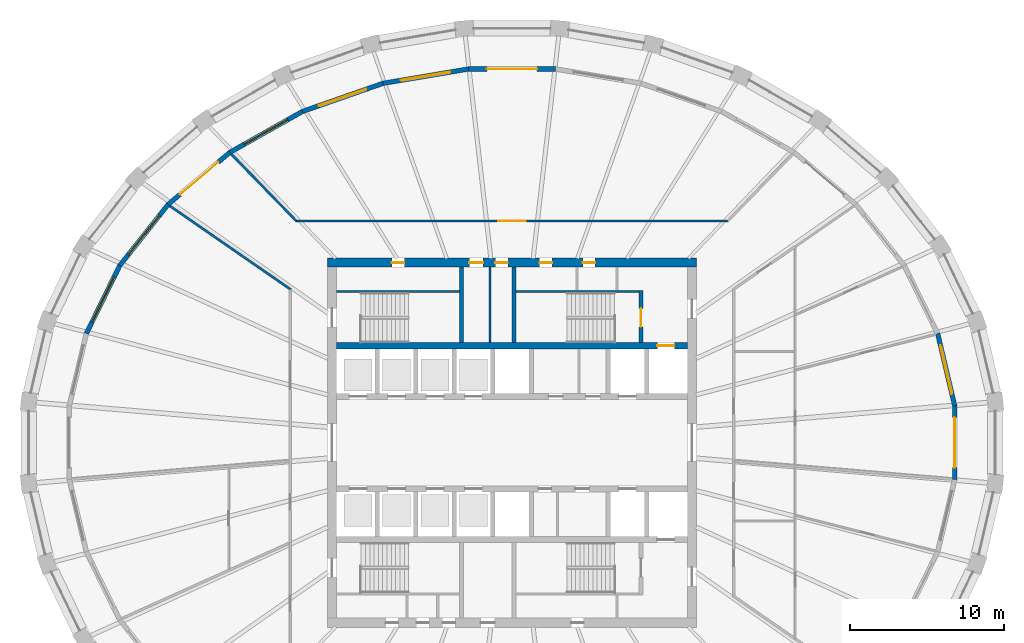
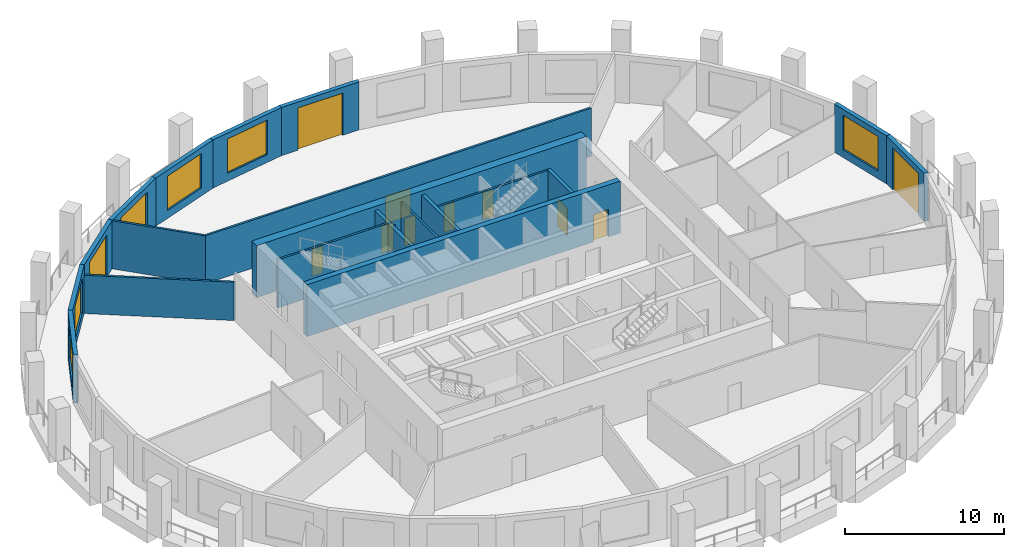
# One storey, part 6 of 11: 20 walls, 11 doors, 6 windows, 17 openings.
"""IFC4 building model written with IfcOpenShell, lengths in metres."""

from ifc_helpers import new_model, si_unit, direction, frame, frame_2d, origin, place, context, subcontext, project, spatial, polyline, rectangle, outline, extrude, material, layer, layer_set, type_object, element, fill, save


model = new_model("IFC4")

# Units and contexts
model_context = context("Model", 3, precision=1e-05, world=origin(), true_north=direction((0.0, 1.0)))
body_context = subcontext(model_context, "Body", "Model", "MODEL_VIEW")
ifc_project = project(units=[si_unit("LENGTHUNIT", "METRE"), si_unit("AREAUNIT", "SQUARE_METRE"), si_unit("VOLUMEUNIT", "CUBIC_METRE"), si_unit("PLANEANGLEUNIT", "RADIAN"), si_unit("MASSUNIT", "GRAM", prefix="KILO")], contexts=[model_context])

# Site, building, storey
site_placement = place(None, origin())
site = spatial("IfcSite", under=ifc_project, at=site_placement, CompositionType="ELEMENT")
building_placement = place(site_placement, origin())
building = spatial("IfcBuilding", under=site, at=building_placement, Name="Halqa Exchange Tower", CompositionType="ELEMENT")
storey_placement = place(building_placement, frame((0.0, 0.0, 230.89990234375)))
storey = spatial("IfcBuildingStorey", under=building, at=storey_placement, Name="L53", CompositionType="ELEMENT", Elevation=230.89990234375)

# Walls
ifc_material_1 = material(Name="Fire-rated gypsum board")
ifc_layer_1 = layer(ifc_material_1, 0.14990234375)
ifc_layer_set_1 = layer_set([ifc_layer_1], Name="Fire-rated gypsum board")
wall_type_1 = type_object("IfcWallType", Name="Fire partition EI 60 150", PredefinedType="PARTITIONING", material=ifc_layer_set_1)
wall_1_placement = place(storey_placement, frame((-18.242431640625, 18.746826171875, 0.0), z_axis=(0.0, 0.0, 1.0), x_axis=(0.697616683155, -0.716471188105, 0.0)))
element("IfcWall", 1, at=wall_1_placement, inside=storey, type_object=wall_type_1, Name="L53-PWL-004", PredefinedType="PARTITIONING", context=body_context, shape_type="SweptSolid", body=[
    extrude(outline(polyline([(0.0, -0.074951171875), (1.524658203125, -0.074951171875), (3.04931640625, -0.074951171875), (4.573974609375, -0.074951171875), (6.0986328125, -0.074951171875), (6.06689453125, 0.0), (6.035400390625, 0.074951171875), (4.532958984375, 0.074951171875), (3.030517578125, 0.074951171875), (1.52783203125, 0.074951171875), (0.025390625, 0.074951171875), (0.005126953125, -0.002197265625), (0.0, -0.07177734375), (0.0, -0.074951171875)])), origin(), (0.0, 0.0, 1.0), 3.7001953125),
])
wall_2_placement = place(storey_placement, frame((-14.36767578125, 9.947509765625, 0.0), z_axis=(0.0, 0.0, 1.0), x_axis=(-0.822511136101, 0.568749005265, 0.0)))
element("IfcWall", 2, at=wall_2_placement, inside=storey, type_object=wall_type_1, Name="L53-PWL-007", PredefinedType="PARTITIONING", context=body_context, shape_type="SweptSolid", body=[
    extrude(outline(polyline([(0.000244140625, -0.074951171875), (1.90673828125, -0.074951171875), (3.8134765625, -0.074951171875), (5.72021484375, -0.074951171875), (7.626708984375, -0.074951171875), (9.533447265625, -0.074951171875), (9.553955078125, 0.00048828125), (9.558349609375, 0.068603515625), (9.558349609375, 0.074951171875), (7.662353515625, 0.074951171875), (5.7666015625, 0.074951171875), (3.87060546875, 0.074951171875), (1.974609375, 0.074951171875), (0.07861328125, 0.074951171875), (0.07861328125, 0.074951171875), (0.07861328125, 0.074951171875), (0.039306640625, 0.0), (0.000244140625, -0.074951171875)])), origin(), (0.0, 0.0, 1.0), 2.947021484375),
])

# Wall, opening, door
wall_3_placement = place(storey_placement, frame((-14.041748046875, 14.39990234375, 0.0), z_axis=(0.0, 0.0, 1.0), x_axis=(1.0, 0.0, 0.0)))
wall_3 = element("IfcWall", 3, at=wall_3_placement, inside=storey, type_object=wall_type_1, Name="L53-PWL-010", PredefinedType="PARTITIONING", context=body_context, shape_type="SweptSolid", body=[
    extrude(outline(polyline([(0.0, -0.074951171875), (1.872314453125, -0.074951171875), (3.74462890625, -0.074951171875), (5.61669921875, -0.074951171875), (7.489013671875, -0.074951171875), (9.361083984375, -0.074951171875), (11.2333984375, -0.074951171875), (13.105712890625, -0.074951171875), (14.977783203125, -0.074951171875), (16.85009765625, -0.074951171875), (18.722412109375, -0.074951171875), (20.594482421875, -0.074951171875), (22.466796875, -0.074951171875), (24.3388671875, -0.074951171875), (26.211181640625, -0.074951171875), (28.08349609375, -0.074951171875), (28.020263671875, 0.074951171875), (26.023193359375, 0.074951171875), (24.0263671875, 0.074951171875), (22.029296875, 0.074951171875), (20.032470703125, 0.074951171875), (18.03564453125, 0.074951171875), (16.03857421875, 0.074951171875), (14.041748046875, 0.074951171875), (12.044921875, 0.074951171875), (10.0478515625, 0.074951171875), (8.051025390625, 0.074951171875), (6.05419921875, 0.074951171875), (4.05712890625, 0.074951171875), (2.060302734375, 0.074951171875), (0.063232421875, 0.074951171875), (0.0, -0.074951171875)])), origin(), (0.0, 0.0, 1.0), 3.7001953125),
])
opening_1_placement = place(wall_3_placement, frame((13.1416015625, 0.0, 0.0)))
opening_1 = element("IfcOpeningElement", 4, at=opening_1_placement, cuts=wall_3, Name="Opening 16-01", PredefinedType="OPENING", context=body_context, shape_type="SweptSolid", body=[
    extrude(rectangle(XDim=1.800048828125, YDim=2.10009765625, at=frame_2d((0.89990234375, 1.050048828125))), frame((0.0, 0.0869140625, 0.0), z_axis=(0.0, -1.0, 0.0), x_axis=(1.0, 0.0, 0.0)), (0.0, 0.0, 1.0), 0.173828125),
])
ifc_material_2 = material(Name="Steel fire door leaf", Category="steel")
door_type_1 = type_object("IfcDoorType", Name="Fire door FD30S double 1800 x 2100", OperationType="DOUBLE_DOOR_SINGLE_SWING", PredefinedType="DOOR", material=ifc_material_2)
door_1_placement = place(opening_1_placement, origin())
door_1 = element("IfcDoor", 5, at=door_1_placement, inside=storey, type_object=door_type_1, Name="L53-IDR-001", OperationType="DOUBLE_DOOR_SINGLE_SWING", OverallHeight=2.10009765625, OverallWidth=1.800048828125, PredefinedType="DOOR", context=body_context, shape_type="SweptSolid", body=[
    extrude(rectangle(XDim=1.800048828125, YDim=2.10009765625, at=frame_2d((0.89990234375, 1.050048828125))), frame((0.0, 0.02490234375, 0.0), z_axis=(0.0, -1.0, 0.0), x_axis=(1.0, 0.0, 0.0)), (0.0, 0.0, 1.0), 0.050048828125),
])
fill(opening_1, door_1)

# Wall
ifc_material_3 = material(Name="Gypsum board")
ifc_layer_2 = layer(ifc_material_3, 0.14990234375)
ifc_layer_set_2 = layer_set([ifc_layer_2], Name="Gypsum board")
wall_type_2 = type_object("IfcWallType", Name="Penthouse riser wall 150 gypsum", PredefinedType="PARTITIONING", material=ifc_layer_set_2)
wall_4_placement = place(storey_placement, frame((-1.425048828125, 6.5, 0.0), z_axis=(0.0, 0.0, 1.0), x_axis=(0.0, 1.0, 0.0)))
element("IfcWall", 6, at=wall_4_placement, inside=storey, type_object=wall_type_2, Name="Partition W1.425 N", PredefinedType="PARTITIONING", context=body_context, shape_type="SweptSolid", body=[
    extrude(rectangle(XDim=4.89990234375, YDim=0.14990234375, at=frame_2d((2.449951171875, 0.0))), origin(), (0.0, 0.0, 1.0), 3.7001953125),
])

# Wall, opening, door
ifc_material_4 = material(Name="Concrete C70/85", Category="concrete")
ifc_layer_3 = layer(ifc_material_4, 0.39990234375)
ifc_layer_set_3 = layer_set([ifc_layer_3], Name="Concrete C70/85")
wall_type_3 = type_object("IfcWallType", Name="RC core wall 400 C70/85", PredefinedType="SHEAR", material=ifc_layer_set_3)
wall_5_placement = place(storey_placement, frame((-11.39990234375, 6.300048828125, 0.0), z_axis=(0.0, 0.0, 1.0), x_axis=(1.0, 0.0, 0.0)))
wall_5 = element("IfcWall", 7, at=wall_5_placement, inside=storey, type_object=wall_type_3, Name="Lift row back wall N", PredefinedType="SHEAR", context=body_context, shape_type="SweptSolid", body=[
    extrude(rectangle(XDim=22.7998046875, YDim=0.39990234375, at=frame_2d((11.39990234375, 0.0))), origin(), (0.0, 0.0, 1.0), 4.0),
])
opening_2_placement = place(wall_5_placement, frame((20.85009765625, 0.0, 0.0)))
opening_2 = element("IfcOpeningElement", 8, at=opening_2_placement, cuts=wall_5, Name="Opening LD-FF1-T16", PredefinedType="OPENING", context=body_context, shape_type="SweptSolid", body=[
    extrude(rectangle(XDim=1.10009765625, YDim=2.10009765625, at=frame_2d((0.550048828125, 1.050048828125))), frame((0.0, 0.2119140625, 0.0), z_axis=(0.0, -1.0, 0.0), x_axis=(1.0, 0.0, 0.0)), (0.0, 0.0, 1.0), 0.423828125),
])
ifc_material_5 = material(Name="Stainless steel", Category="steel")
door_type_2 = type_object("IfcDoorType", Name="Lift landing door 1100 x 2100", OperationType="SLIDING_TO_LEFT", PredefinedType="DOOR", material=ifc_material_5)
door_2_placement = place(opening_2_placement, origin())
door_2 = element("IfcDoor", 9, at=door_2_placement, inside=storey, type_object=door_type_2, Name="Lift landing door FF1", OperationType="SLIDING_TO_LEFT", OverallHeight=2.10009765625, OverallWidth=1.10009765625, PredefinedType="DOOR", context=body_context, shape_type="SweptSolid", body=[
    extrude(rectangle(XDim=1.10009765625, YDim=2.10009765625, at=frame_2d((0.550048828125, 1.050048828125))), frame((0.0, 0.02490234375, 0.0), z_axis=(0.0, -1.0, 0.0), x_axis=(1.0, 0.0, 0.0)), (0.0, 0.0, 1.0), 0.050048828125),
])
fill(opening_2, door_2)

# Wall, openings, doors
ifc_layer_4 = layer(ifc_material_4, 0.60009765625)
ifc_layer_set_4 = layer_set([ifc_layer_4], Name="Concrete C70/85")
wall_type_4 = type_object("IfcWallType", Name="RC core wall 600 C70/85", PredefinedType="SHEAR", material=ifc_layer_set_4)
wall_6_placement = place(storey_placement, frame((-12.0, 11.699951171875, 0.0), z_axis=(0.0, 0.0, 1.0), x_axis=(1.0, 0.0, 0.0)))
wall_6 = element("IfcWall", 10, at=wall_6_placement, inside=storey, type_object=wall_type_4, Name="Core wall north", PredefinedType="SHEAR", context=body_context, shape_type="SweptSolid", body=[
    extrude(rectangle(XDim=24.0, YDim=0.60009765625, at=frame_2d((12.0, 0.0))), origin(), (0.0, 0.0, 1.0), 4.0),
])
opening_3_placement = place(wall_6_placement, frame((9.22509765625, 0.0, 0.0)))
opening_3 = element("IfcOpeningElement", 11, at=opening_3_placement, cuts=wall_6, Name="Opening T16-C21", PredefinedType="OPENING", context=body_context, shape_type="SweptSolid", body=[
    extrude(rectangle(XDim=0.89990234375, YDim=2.10009765625, at=frame_2d((0.449951171875, 1.050048828125))), frame((0.0, 0.31201171875, 0.0), z_axis=(0.0, -1.0, 0.0), x_axis=(1.0, 0.0, 0.0)), (0.0, 0.0, 1.0), 0.6240234375),
])
opening_4_placement = place(wall_6_placement, frame((10.925048828125, 0.0, 0.0)))
opening_4 = element("IfcOpeningElement", 12, at=opening_4_placement, cuts=wall_6, Name="Opening T16-C22", PredefinedType="OPENING", context=body_context, shape_type="SweptSolid", body=[
    extrude(rectangle(XDim=0.800048828125, YDim=2.10009765625, at=frame_2d((0.39990234375, 1.050048828125))), frame((0.0, 0.31201171875, 0.0), z_axis=(0.0, -1.0, 0.0), x_axis=(1.0, 0.0, 0.0)), (0.0, 0.0, 1.0), 0.6240234375),
])
opening_5_placement = place(wall_6_placement, frame((4.199951171875, 0.0, 0.0)))
opening_5 = element("IfcOpeningElement", 13, at=opening_5_placement, cuts=wall_6, Name="Opening T16-C23", PredefinedType="OPENING", context=body_context, shape_type="SweptSolid", body=[
    extrude(rectangle(XDim=0.800048828125, YDim=2.10009765625, at=frame_2d((0.39990234375, 1.050048828125))), frame((0.0, 0.31201171875, 0.0), z_axis=(0.0, -1.0, 0.0), x_axis=(1.0, 0.0, 0.0)), (0.0, 0.0, 1.0), 0.6240234375),
])
opening_6_placement = place(wall_6_placement, frame((13.800048828125, 0.0, 0.0)))
opening_6 = element("IfcOpeningElement", 14, at=opening_6_placement, cuts=wall_6, Name="Opening T16-C24", PredefinedType="OPENING", context=body_context, shape_type="SweptSolid", body=[
    extrude(rectangle(XDim=0.800048828125, YDim=2.10009765625, at=frame_2d((0.39990234375, 1.050048828125))), frame((0.0, 0.31201171875, 0.0), z_axis=(0.0, -1.0, 0.0), x_axis=(1.0, 0.0, 0.0)), (0.0, 0.0, 1.0), 0.6240234375),
])
opening_7_placement = place(wall_6_placement, frame((16.60009765625, 0.0, 0.0)))
opening_7 = element("IfcOpeningElement", 15, at=opening_7_placement, cuts=wall_6, Name="Opening T16-C25", PredefinedType="OPENING", context=body_context, shape_type="SweptSolid", body=[
    extrude(rectangle(XDim=0.800048828125, YDim=2.10009765625, at=frame_2d((0.39990234375, 1.050048828125))), frame((0.0, 0.31201171875, 0.0), z_axis=(0.0, -1.0, 0.0), x_axis=(1.0, 0.0, 0.0)), (0.0, 0.0, 1.0), 0.6240234375),
])
ifc_material_6 = material(Name="Timber fire door leaf", Category="wood")
door_type_3 = type_object("IfcDoorType", Name="Core room door FD30 900 x 2100", OperationType="SINGLE_SWING_LEFT", PredefinedType="DOOR", material=ifc_material_6)
door_3_placement = place(opening_3_placement, frame((0.89990234375, 0.0, 0.0), z_axis=(0.0, 0.0, 1.0), x_axis=(-1.0, 0.0, 0.0)))
door_3 = element("IfcDoor", 16, at=door_3_placement, inside=storey, type_object=door_type_3, Name="Core room door", OperationType="SINGLE_SWING_RIGHT", OverallHeight=2.10009765625, OverallWidth=0.89990234375, PredefinedType="DOOR", context=body_context, shape_type="SweptSolid", body=[
    extrude(rectangle(XDim=0.89990234375, YDim=2.10009765625, at=frame_2d((0.449951171875, 1.050048828125))), frame((0.0, 0.02490234375, 0.0), z_axis=(0.0, -1.0, 0.0), x_axis=(1.0, 0.0, 0.0)), (0.0, 0.0, 1.0), 0.050048828125),
])
fill(opening_3, door_3)
door_type_4 = type_object("IfcDoorType", Name="Riser door FD60 800 x 2100", OperationType="SINGLE_SWING_LEFT", PredefinedType="DOOR", material=ifc_material_2)
door_4_placement = place(opening_4_placement, frame((0.800048828125, 0.0, 0.0), z_axis=(0.0, 0.0, 1.0), x_axis=(-1.0, 0.0, 0.0)))
door_4 = element("IfcDoor", 17, at=door_4_placement, inside=storey, type_object=door_type_4, Name="Core room door", OperationType="SINGLE_SWING_RIGHT", OverallHeight=2.10009765625, OverallWidth=0.800048828125, PredefinedType="DOOR", context=body_context, shape_type="SweptSolid", body=[
    extrude(rectangle(XDim=0.800048828125, YDim=2.10009765625, at=frame_2d((0.39990234375, 1.050048828125))), frame((0.0, 0.02490234375, 0.0), z_axis=(0.0, -1.0, 0.0), x_axis=(1.0, 0.0, 0.0)), (0.0, 0.0, 1.0), 0.050048828125),
])
fill(opening_4, door_4)
door_5_placement = place(opening_5_placement, frame((0.800048828125, 0.0, 0.0), z_axis=(0.0, 0.0, 1.0), x_axis=(-1.0, 0.0, 0.0)))
door_5 = element("IfcDoor", 18, at=door_5_placement, inside=storey, type_object=door_type_4, Name="Core room door", OperationType="SINGLE_SWING_RIGHT", OverallHeight=2.10009765625, OverallWidth=0.800048828125, PredefinedType="DOOR", context=body_context, shape_type="SweptSolid", body=[
    extrude(rectangle(XDim=0.800048828125, YDim=2.10009765625, at=frame_2d((0.39990234375, 1.050048828125))), frame((0.0, 0.02490234375, 0.0), z_axis=(0.0, -1.0, 0.0), x_axis=(1.0, 0.0, 0.0)), (0.0, 0.0, 1.0), 0.050048828125),
])
fill(opening_5, door_5)
door_6_placement = place(opening_6_placement, frame((0.800048828125, 0.0, 0.0), z_axis=(0.0, 0.0, 1.0), x_axis=(-1.0, 0.0, 0.0)))
door_6 = element("IfcDoor", 19, at=door_6_placement, inside=storey, type_object=door_type_4, Name="Core room door", OperationType="SINGLE_SWING_LEFT", OverallHeight=2.10009765625, OverallWidth=0.800048828125, PredefinedType="DOOR", context=body_context, shape_type="SweptSolid", body=[
    extrude(rectangle(XDim=0.800048828125, YDim=2.10009765625, at=frame_2d((0.39990234375, 1.050048828125))), frame((0.0, 0.02490234375, 0.0), z_axis=(0.0, -1.0, 0.0), x_axis=(1.0, 0.0, 0.0)), (0.0, 0.0, 1.0), 0.050048828125),
])
fill(opening_6, door_6)
door_7_placement = place(opening_7_placement, frame((0.800048828125, 0.0, 0.0), z_axis=(0.0, 0.0, 1.0), x_axis=(-1.0, 0.0, 0.0)))
door_7 = element("IfcDoor", 20, at=door_7_placement, inside=storey, type_object=door_type_4, Name="Core room door", OperationType="SINGLE_SWING_LEFT", OverallHeight=2.10009765625, OverallWidth=0.800048828125, PredefinedType="DOOR", context=body_context, shape_type="SweptSolid", body=[
    extrude(rectangle(XDim=0.800048828125, YDim=2.10009765625, at=frame_2d((0.39990234375, 1.050048828125))), frame((0.0, 0.02490234375, 0.0), z_axis=(0.0, -1.0, 0.0), x_axis=(1.0, 0.0, 0.0)), (0.0, 0.0, 1.0), 0.050048828125),
])
fill(opening_7, door_7)

# Walls
ifc_material_7 = material(Name="Concrete C30/37", Category="concrete")
ifc_layer_5 = layer(ifc_material_7, 0.14990234375)
ifc_layer_set_5 = layer_set([ifc_layer_5], Name="Concrete C30/37")
wall_type_5 = type_object("IfcWallType", Name="RC stair wall 150 C30/37", PredefinedType="SHEAR", material=ifc_layer_set_5)
for number, where, z_axis, x_axis, name in (
    (21, (-11.39990234375, 9.824951171875, 0.0), (0.0, 0.0, 1.0), (1.0, 0.0, 0.0), "Stair ST1 north wall N"),
    (22, (0.25, 9.824951171875, 0.0), (0.0, 0.0, 1.0), (1.0, 0.0, 0.0), "Stair ST2 north wall N"),
):
    element("IfcWall", number, at=place(storey_placement, frame(where, z_axis=z_axis, x_axis=x_axis)), inside=storey, type_object=wall_type_5, Name=name, PredefinedType="SHEAR", context=body_context, shape_type="SweptSolid", body=[
        extrude(rectangle(XDim=8.0, YDim=0.14990234375, at=frame_2d((4.0, 0.0))), origin(), (0.0, 0.0, 1.0), 3.7001953125),
    ])
ifc_layer_6 = layer(ifc_material_7, 0.25)
ifc_layer_set_6 = layer_set([ifc_layer_6], Name="Concrete C30/37")
wall_type_6 = type_object("IfcWallType", Name="RC stair wall 250 C30/37", PredefinedType="SHEAR", material=ifc_layer_set_6)
for number, where, z_axis, x_axis, name in (
    (23, (-3.27490234375, 6.5, 0.0), (0.0, 0.0, 1.0), (0.0, 1.0, 0.0), "Stair ST1 east wall N"),
    (24, (0.125, 6.5, 0.0), (0.0, 0.0, 1.0), (0.0, 1.0, 0.0), "Stair ST2 west wall N"),
):
    element("IfcWall", number, at=place(storey_placement, frame(where, z_axis=z_axis, x_axis=x_axis)), inside=storey, type_object=wall_type_6, Name=name, PredefinedType="SHEAR", context=body_context, shape_type="SweptSolid", body=[
        extrude(rectangle(XDim=4.89990234375, YDim=0.25, at=frame_2d((2.449951171875, 0.0))), origin(), (0.0, 0.0, 1.0), 3.7001953125),
    ])

# Wall, opening, door
wall_7_placement = place(storey_placement, frame((8.375, 6.5, 0.0), z_axis=(0.0, 0.0, 1.0), x_axis=(0.0, 1.0, 0.0)))
wall_7 = element("IfcWall", 25, at=wall_7_placement, inside=storey, type_object=wall_type_6, Name="Stair ST2 east wall N", PredefinedType="SHEAR", context=body_context, shape_type="SweptSolid", body=[
    extrude(rectangle(XDim=3.39990234375, YDim=0.25, at=frame_2d((1.699951171875, 0.0))), origin(), (0.0, 0.0, 1.0), 3.7001953125),
])
opening_8_placement = place(wall_7_placement, frame((1.02490234375, 0.0, 0.0)))
opening_8 = element("IfcOpeningElement", 26, at=opening_8_placement, cuts=wall_7, Name="Opening T16-C16", PredefinedType="OPENING", context=body_context, shape_type="SweptSolid", body=[
    extrude(rectangle(XDim=1.199951171875, YDim=2.10009765625, at=frame_2d((0.60009765625, 1.050048828125))), frame((0.0, 0.136962890625, 0.0), z_axis=(0.0, -1.0, 0.0), x_axis=(1.0, 0.0, 0.0)), (0.0, 0.0, 1.0), 0.27392578125),
])
door_type_5 = type_object("IfcDoorType", Name="Stair door FD90 1200 x 2100", OperationType="SINGLE_SWING_LEFT", PredefinedType="DOOR", material=ifc_material_2)
door_8_placement = place(opening_8_placement, origin())
door_8 = element("IfcDoor", 27, at=door_8_placement, inside=storey, type_object=door_type_5, Name="Stair door ST2", OperationType="SINGLE_SWING_LEFT", OverallHeight=2.10009765625, OverallWidth=1.199951171875, PredefinedType="DOOR", context=body_context, shape_type="SweptSolid", body=[
    extrude(rectangle(XDim=1.199951171875, YDim=2.10009765625, at=frame_2d((0.60009765625, 1.050048828125))), frame((0.0, 0.02490234375, 0.0), z_axis=(0.0, -1.0, 0.0), x_axis=(1.0, 0.0, 0.0)), (0.0, 0.0, 1.0), 0.050048828125),
])
fill(opening_8, door_8)

# Wall, opening, window
ifc_material_8 = material(Name="Limestone cladding", Category="masonry")
ifc_layer_7 = layer(ifc_material_8, 0.0400390625)
ifc_material_9 = material(Name="Ventilated cavity")
ifc_layer_8 = layer(ifc_material_9, 0.030029296875, ventilated=True)
ifc_material_10 = material(Name="Mineral wool insulation")
ifc_layer_9 = layer(ifc_material_10, 0.10009765625)
ifc_layer_10 = layer(ifc_material_7, 0.10009765625)
ifc_material_11 = material(Name="Internal plaster")
ifc_layer_11 = layer(ifc_material_11, 0.030029296875)
ifc_layer_set_7 = layer_set([ifc_layer_7, ifc_layer_8, ifc_layer_9, ifc_layer_10, ifc_layer_11], Name="Stone-faced insulated wall 300")
wall_type_7 = type_object("IfcWallType", Name="Stone-faced insulated wall 300", PredefinedType="STANDARD", material=ifc_layer_set_7)
wall_8_placement = place(storey_placement, frame((28.76416015625, 2.393798828125, 0.0), z_axis=(0.0, 0.0, 1.0), x_axis=(-0.229617574796, 0.97328093033, 0.0)))
wall_8 = element("IfcWall", 28, at=wall_8_placement, inside=storey, type_object=wall_type_7, Name="Glass-line wall 1", PredefinedType="STANDARD", context=body_context, shape_type="SweptSolid", body=[
    extrude(outline(polyline([(-0.017333984375, -0.14990234375), (4.8408203125, -0.14990234375), (4.80712890625, 0.14990234375), (0.017333984375, 0.14990234375), (-0.017333984375, -0.14990234375)])), origin(), (0.0, 0.0, 1.0), 3.7001953125),
])
opening_9_placement = place(wall_8_placement, frame((0.786865234375, 0.0, 0.60009765625)))
opening_9 = element("IfcOpeningElement", 29, at=opening_9_placement, cuts=wall_8, Name="Opening W-F3-01", PredefinedType="OPENING", context=body_context, shape_type="SweptSolid", body=[
    extrude(rectangle(XDim=3.25, YDim=2.64990234375, at=frame_2d((1.625, 1.324951171875))), frame((0.0, 0.162109375, 0.0), z_axis=(0.0, -1.0, 0.0), x_axis=(1.0, 0.0, 0.0)), (0.0, 0.0, 1.0), 0.323974609375),
])
ifc_material_12 = material(Name="Clear low-emissivity glass in aluminium frame", Category="aluminium")
window_type = type_object("IfcWindowType", Name="Fixed clear glazed window 3250 x 2650", PartitioningType="TRIPLE_PANEL_VERTICAL", PredefinedType="WINDOW", material=ifc_material_12)
window_1_placement = place(opening_9_placement, origin())
window_1 = element("IfcWindow", 30, at=window_1_placement, inside=storey, type_object=window_type, Name="Window 3", OverallHeight=2.64990234375, OverallWidth=3.25, PartitioningType="TRIPLE_PANEL_VERTICAL", PredefinedType="WINDOW", context=body_context, shape_type="SweptSolid", body=[
    extrude(rectangle(XDim=3.25, YDim=2.64990234375, at=frame_2d((1.625, 1.324951171875))), frame((0.0, 0.030029296875, 0.0), z_axis=(0.0, -1.0, 0.0), x_axis=(1.0, 0.0, 0.0)), (0.0, 0.0, 1.0), 0.06005859375),
])
fill(opening_9, window_1)

# Wall, opening, door
wall_9_placement = place(storey_placement, frame((2.830810546875, 24.2783203125, 0.0), z_axis=(0.0, 0.0, 1.0), x_axis=(-1.0, 0.0, 0.0)))
wall_9 = element("IfcWall", 31, at=wall_9_placement, inside=storey, type_object=wall_type_7, Name="Glass-line wall 8", PredefinedType="STANDARD", context=body_context, shape_type="SweptSolid", body=[
    extrude(outline(polyline([(-0.012451171875, -0.14990234375), (5.674072265625, -0.14990234375), (5.649169921875, 0.14990234375), (0.012451171875, 0.14990234375), (-0.012451171875, -0.14990234375)])), origin(), (0.0, 0.0, 1.0), 3.7001953125),
])
opening_10_placement = place(wall_9_placement, frame((1.205810546875, 0.0, 0.0)))
opening_10 = element("IfcOpeningElement", 32, at=opening_10_placement, cuts=wall_9, Name="Opening LG-F3-02", PredefinedType="OPENING", context=body_context, shape_type="SweptSolid", body=[
    extrude(rectangle(XDim=3.25, YDim=3.25, at=frame_2d((1.625, 1.625))), frame((0.0, 0.162109375, 0.0), z_axis=(0.0, -1.0, 0.0), x_axis=(1.0, 0.0, 0.0)), (0.0, 0.0, 1.0), 0.323974609375),
])
door_type_6 = type_object("IfcDoorType", Name="Glazed sliding loggia door 3250 x 3250", OperationType="DOUBLE_DOOR_SLIDING", PredefinedType="DOOR", material=ifc_material_12)
door_9_placement = place(opening_10_placement, origin())
door_9 = element("IfcDoor", 33, at=door_9_placement, inside=storey, type_object=door_type_6, Name="Loggia door 2", OperationType="DOUBLE_DOOR_SLIDING", OverallHeight=3.25, OverallWidth=3.25, PredefinedType="DOOR", context=body_context, shape_type="SweptSolid", body=[
    extrude(rectangle(XDim=3.25, YDim=3.25, at=frame_2d((1.625, 1.625))), frame((0.0, 0.02490234375, 0.0), z_axis=(0.0, -1.0, 0.0), x_axis=(1.0, 0.0, 0.0)), (0.0, 0.0, 1.0), 0.050048828125),
])
fill(opening_10, door_9)

# Wall, opening, window
wall_10_placement = place(storey_placement, frame((-2.830810546875, 24.2783203125, 0.0), z_axis=(0.0, 0.0, 1.0), x_axis=(-0.986223472554, -0.165418445715, 0.0)))
wall_10 = element("IfcWall", 34, at=wall_10_placement, inside=storey, type_object=wall_type_7, Name="Glass-line wall 9", PredefinedType="STANDARD", context=body_context, shape_type="SweptSolid", body=[
    extrude(outline(polyline([(-0.012451171875, -0.14990234375), (5.643310546875, -0.14990234375), (5.617919921875, 0.14990234375), (0.012451171875, 0.14990234375), (-0.012451171875, -0.14990234375)])), origin(), (0.0, 0.0, 1.0), 3.7001953125),
])
opening_11_placement = place(wall_10_placement, frame((1.190185546875, 0.0, 0.60009765625)))
opening_11 = element("IfcOpeningElement", 35, at=opening_11_placement, cuts=wall_10, Name="Opening W-F3-09", PredefinedType="OPENING", context=body_context, shape_type="SweptSolid", body=[
    extrude(rectangle(XDim=3.25, YDim=2.64990234375, at=frame_2d((1.625, 1.324951171875))), frame((0.0, 0.162109375, 0.0), z_axis=(0.0, -1.0, 0.0), x_axis=(1.0, 0.0, 0.0)), (0.0, 0.0, 1.0), 0.323974609375),
])
window_2_placement = place(opening_11_placement, origin())
window_2 = element("IfcWindow", 36, at=window_2_placement, inside=storey, type_object=window_type, Name="Window 3", OverallHeight=2.64990234375, OverallWidth=3.25, PartitioningType="TRIPLE_PANEL_VERTICAL", PredefinedType="WINDOW", context=body_context, shape_type="SweptSolid", body=[
    extrude(rectangle(XDim=3.25, YDim=2.64990234375, at=frame_2d((1.625, 1.324951171875))), frame((0.0, 0.030029296875, 0.0), z_axis=(0.0, -1.0, 0.0), x_axis=(1.0, 0.0, 0.0)), (0.0, 0.0, 1.0), 0.06005859375),
])
fill(opening_11, window_2)

wall_11_placement = place(storey_placement, frame((-8.3837890625, 23.346923828125, 0.0), z_axis=(0.0, 0.0, 1.0), x_axis=(-0.944075859918, -0.329728328659, 0.0)))
wall_11 = element("IfcWall", 37, at=wall_11_placement, inside=storey, type_object=wall_type_7, Name="Glass-line wall 10", PredefinedType="STANDARD", context=body_context, shape_type="SweptSolid", body=[
    extrude(outline(polyline([(-0.0126953125, -0.14990234375), (5.5556640625, -0.14990234375), (5.52880859375, 0.14990234375), (0.0126953125, 0.14990234375), (-0.0126953125, -0.14990234375)])), origin(), (0.0, 0.0, 1.0), 3.7001953125),
])
opening_12_placement = place(wall_11_placement, frame((1.14599609375, 0.0, 0.60009765625)))
opening_12 = element("IfcOpeningElement", 38, at=opening_12_placement, cuts=wall_11, Name="Opening W-F3-10", PredefinedType="OPENING", context=body_context, shape_type="SweptSolid", body=[
    extrude(rectangle(XDim=3.25, YDim=2.64990234375, at=frame_2d((1.625, 1.324951171875))), frame((0.0, 0.162109375, 0.0), z_axis=(0.0, -1.0, 0.0), x_axis=(1.0, 0.0, 0.0)), (0.0, 0.0, 1.0), 0.323974609375),
])
window_3_placement = place(opening_12_placement, origin())
window_3 = element("IfcWindow", 39, at=window_3_placement, inside=storey, type_object=window_type, Name="Window 3", OverallHeight=2.64990234375, OverallWidth=3.25, PartitioningType="TRIPLE_PANEL_VERTICAL", PredefinedType="WINDOW", context=body_context, shape_type="SweptSolid", body=[
    extrude(rectangle(XDim=3.25, YDim=2.64990234375, at=frame_2d((1.625, 1.324951171875))), frame((0.0, 0.030029296875, 0.0), z_axis=(0.0, -1.0, 0.0), x_axis=(1.0, 0.0, 0.0)), (0.0, 0.0, 1.0), 0.06005859375),
])
fill(opening_12, window_3)

wall_12_placement = place(storey_placement, frame((-13.615966796875, 21.51953125, 0.0), z_axis=(0.0, 0.0, 1.0), x_axis=(-0.871225596594, -0.490882837181, 0.0)))
wall_12 = element("IfcWall", 40, at=wall_12_placement, inside=storey, type_object=wall_type_7, Name="Glass-line wall 11", PredefinedType="STANDARD", context=body_context, shape_type="SweptSolid", body=[
    extrude(outline(polyline([(-0.013427734375, -0.14990234375), (5.4208984375, -0.14990234375), (5.392578125, 0.14990234375), (0.013427734375, 0.14990234375), (-0.013427734375, -0.14990234375)])), origin(), (0.0, 0.0, 1.0), 3.7001953125),
])
opening_13_placement = place(wall_12_placement, frame((1.078369140625, 0.0, 0.60009765625)))
opening_13 = element("IfcOpeningElement", 41, at=opening_13_placement, cuts=wall_12, Name="Opening W-F3-11", PredefinedType="OPENING", context=body_context, shape_type="SweptSolid", body=[
    extrude(rectangle(XDim=3.25, YDim=2.64990234375, at=frame_2d((1.625, 1.324951171875))), frame((0.0, 0.162109375, 0.0), z_axis=(0.0, -1.0, 0.0), x_axis=(1.0, 0.0, 0.0)), (0.0, 0.0, 1.0), 0.323974609375),
])
window_4_placement = place(opening_13_placement, origin())
window_4 = element("IfcWindow", 42, at=window_4_placement, inside=storey, type_object=window_type, Name="Window 3", OverallHeight=2.64990234375, OverallWidth=3.25, PartitioningType="TRIPLE_PANEL_VERTICAL", PredefinedType="WINDOW", context=body_context, shape_type="SweptSolid", body=[
    extrude(rectangle(XDim=3.25, YDim=2.64990234375, at=frame_2d((1.625, 1.324951171875))), frame((0.0, 0.030029296875, 0.0), z_axis=(0.0, -1.0, 0.0), x_axis=(1.0, 0.0, 0.0)), (0.0, 0.0, 1.0), 0.06005859375),
])
fill(opening_13, window_4)

# Wall, opening, door
wall_13_placement = place(storey_placement, frame((-18.326416015625, 18.865478515625, 0.0), z_axis=(0.0, 0.0, 1.0), x_axis=(-0.764475071601, -0.644653290459, 0.0)))
wall_13 = element("IfcWall", 43, at=wall_13_placement, inside=storey, type_object=wall_type_7, Name="Glass-line wall 12", PredefinedType="STANDARD", context=body_context, shape_type="SweptSolid", body=[
    extrude(outline(polyline([(-0.01416015625, -0.14990234375), (5.2578125, -0.14990234375), (5.2275390625, 0.14990234375), (0.01416015625, 0.14990234375), (-0.01416015625, -0.14990234375)])), origin(), (0.0, 0.0, 1.0), 3.7001953125),
])
opening_14_placement = place(wall_13_placement, frame((0.996337890625, 0.0, 0.0)))
opening_14 = element("IfcOpeningElement", 44, at=opening_14_placement, cuts=wall_13, Name="Opening LG-F3-03", PredefinedType="OPENING", context=body_context, shape_type="SweptSolid", body=[
    extrude(rectangle(XDim=3.25, YDim=3.25, at=frame_2d((1.625, 1.625))), frame((0.0, 0.162109375, 0.0), z_axis=(0.0, -1.0, 0.0), x_axis=(1.0, 0.0, 0.0)), (0.0, 0.0, 1.0), 0.323974609375),
])
door_10_placement = place(opening_14_placement, origin())
door_10 = element("IfcDoor", 45, at=door_10_placement, inside=storey, type_object=door_type_6, Name="Loggia door 3", OperationType="DOUBLE_DOOR_SLIDING", OverallHeight=3.25, OverallWidth=3.25, PredefinedType="DOOR", context=body_context, shape_type="SweptSolid", body=[
    extrude(rectangle(XDim=3.25, YDim=3.25, at=frame_2d((1.625, 1.625))), frame((0.0, 0.02490234375, 0.0), z_axis=(0.0, -1.0, 0.0), x_axis=(1.0, 0.0, 0.0)), (0.0, 0.0, 1.0), 0.050048828125),
])
fill(opening_14, door_10)

# Wall, opening, window
wall_14_placement = place(storey_placement, frame((-22.334228515625, 15.48583984375, 0.0), z_axis=(0.0, 0.0, 1.0), x_axis=(-0.621084984443, -0.783743224596, 0.0)))
wall_14 = element("IfcWall", 46, at=wall_14_placement, inside=storey, type_object=wall_type_7, Name="Glass-line wall 13", PredefinedType="STANDARD", context=body_context, shape_type="SweptSolid", body=[
    extrude(outline(polyline([(-0.01513671875, -0.14990234375), (5.08935546875, -0.14990234375), (5.05712890625, 0.14990234375), (0.01513671875, 0.14990234375), (-0.01513671875, -0.14990234375)])), origin(), (0.0, 0.0, 1.0), 3.7001953125),
])
opening_15_placement = place(wall_14_placement, frame((0.91162109375, 0.0, 0.60009765625)))
opening_15 = element("IfcOpeningElement", 47, at=opening_15_placement, cuts=wall_14, Name="Opening W-F3-13", PredefinedType="OPENING", context=body_context, shape_type="SweptSolid", body=[
    extrude(rectangle(XDim=3.25, YDim=2.64990234375, at=frame_2d((1.625, 1.324951171875))), frame((0.0, 0.162109375, 0.0), z_axis=(0.0, -1.0, 0.0), x_axis=(1.0, 0.0, 0.0)), (0.0, 0.0, 1.0), 0.323974609375),
])
window_5_placement = place(opening_15_placement, origin())
window_5 = element("IfcWindow", 48, at=window_5_placement, inside=storey, type_object=window_type, Name="Window 3", OverallHeight=2.64990234375, OverallWidth=3.25, PartitioningType="TRIPLE_PANEL_VERTICAL", PredefinedType="WINDOW", context=body_context, shape_type="SweptSolid", body=[
    extrude(rectangle(XDim=3.25, YDim=2.64990234375, at=frame_2d((1.625, 1.324951171875))), frame((0.0, 0.030029296875, 0.0), z_axis=(0.0, -1.0, 0.0), x_axis=(1.0, 0.0, 0.0)), (0.0, 0.0, 1.0), 0.06005859375),
])
fill(opening_15, window_5)

wall_15_placement = place(storey_placement, frame((-25.485107421875, 11.509765625, 0.0), z_axis=(0.0, 0.0, 1.0), x_axis=(-0.440857641837, -0.897577038272, 0.0)))
wall_15 = element("IfcWall", 49, at=wall_15_placement, inside=storey, type_object=wall_type_7, Name="Glass-line wall 14", PredefinedType="STANDARD", context=body_context, shape_type="SweptSolid", body=[
    extrude(outline(polyline([(-0.01611328125, -0.14990234375), (4.942138671875, -0.14990234375), (4.908447265625, 0.14990234375), (0.01611328125, 0.14990234375), (-0.01611328125, -0.14990234375)])), origin(), (0.0, 0.0, 1.0), 3.7001953125),
])
opening_16_placement = place(wall_15_placement, frame((0.837646484375, 0.0, 0.60009765625)))
opening_16 = element("IfcOpeningElement", 50, at=opening_16_placement, cuts=wall_15, Name="Opening W-F3-14", PredefinedType="OPENING", context=body_context, shape_type="SweptSolid", body=[
    extrude(rectangle(XDim=3.25, YDim=2.64990234375, at=frame_2d((1.625, 1.324951171875))), frame((0.0, 0.162109375, 0.0), z_axis=(0.0, -1.0, 0.0), x_axis=(1.0, 0.0, 0.0)), (0.0, 0.0, 1.0), 0.323974609375),
])
window_6_placement = place(opening_16_placement, origin())
window_6 = element("IfcWindow", 51, at=window_6_placement, inside=storey, type_object=window_type, Name="Window 3", OverallHeight=2.64990234375, OverallWidth=3.25, PartitioningType="TRIPLE_PANEL_VERTICAL", PredefinedType="WINDOW", context=body_context, shape_type="SweptSolid", body=[
    extrude(rectangle(XDim=3.25, YDim=2.64990234375, at=frame_2d((1.625, 1.324951171875))), frame((0.0, 0.030029296875, 0.0), z_axis=(0.0, -1.0, 0.0), x_axis=(1.0, 0.0, 0.0)), (0.0, 0.0, 1.0), 0.06005859375),
])
fill(opening_16, window_6)

# Wall, opening, door
wall_16_placement = place(storey_placement, frame((28.76416015625, -2.393798828125, 0.0), z_axis=(0.0, 0.0, 1.0), x_axis=(0.0, 1.0, 0.0)))
wall_16 = element("IfcWall", 52, at=wall_16_placement, inside=storey, type_object=wall_type_7, Name="Glass-line wall 32", PredefinedType="STANDARD", context=body_context, shape_type="SweptSolid", body=[
    extrude(outline(polyline([(-0.017333984375, -0.14990234375), (4.804931640625, -0.14990234375), (4.770263671875, 0.14990234375), (0.017333984375, 0.14990234375), (-0.017333984375, -0.14990234375)])), origin(), (0.0, 0.0, 1.0), 3.7001953125),
])
opening_17_placement = place(wall_16_placement, frame((0.768798828125, 0.0, 0.0)))
opening_17 = element("IfcOpeningElement", 53, at=opening_17_placement, cuts=wall_16, Name="Opening LG-F3-08", PredefinedType="OPENING", context=body_context, shape_type="SweptSolid", body=[
    extrude(rectangle(XDim=3.25, YDim=3.25, at=frame_2d((1.625, 1.625))), frame((0.0, 0.162109375, 0.0), z_axis=(0.0, -1.0, 0.0), x_axis=(1.0, 0.0, 0.0)), (0.0, 0.0, 1.0), 0.323974609375),
])
door_11_placement = place(opening_17_placement, origin())
door_11 = element("IfcDoor", 54, at=door_11_placement, inside=storey, type_object=door_type_6, Name="Loggia door 8", OperationType="DOUBLE_DOOR_SLIDING", OverallHeight=3.25, OverallWidth=3.25, PredefinedType="DOOR", context=body_context, shape_type="SweptSolid", body=[
    extrude(rectangle(XDim=3.25, YDim=3.25, at=frame_2d((1.625, 1.625))), frame((0.0, 0.02490234375, 0.0), z_axis=(0.0, -1.0, 0.0), x_axis=(1.0, 0.0, 0.0)), (0.0, 0.0, 1.0), 0.050048828125),
])
fill(opening_17, door_11)

save(model, "model.ifc")
